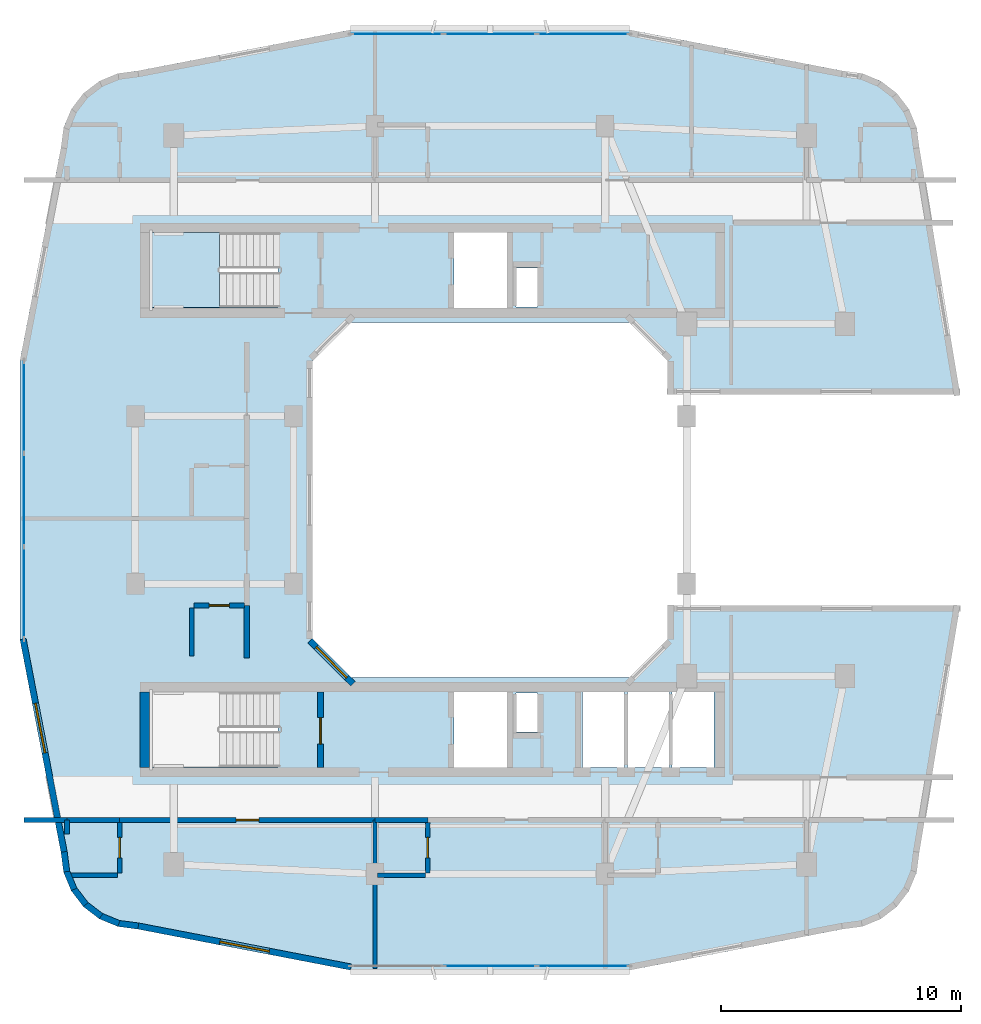
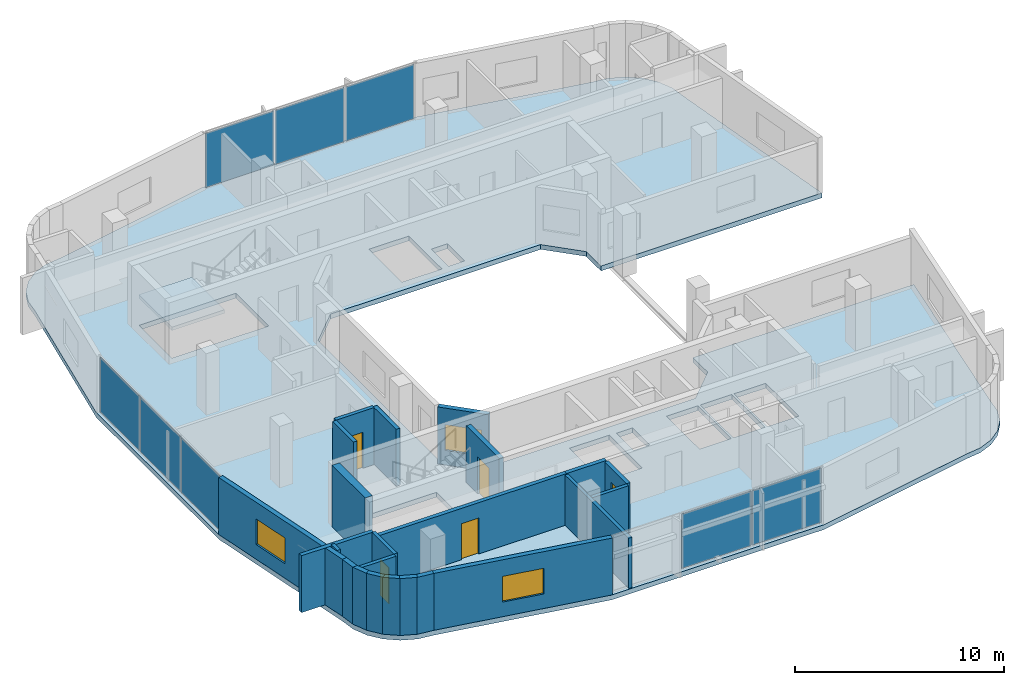
# One storey, part 4 of 12: 24 walls, 8 plates, 5 doors, 3 windows, 2 slabs, 8 openings, 4 elements without a shape of their own.
"""IFC4 building model written with IfcOpenShell, lengths in metres."""

from ifc_helpers import new_model, si_unit, derived_unit, direction, frame, frame_2d, origin, origin_2d, place, context, subcontext, project, spatial, polyline, rectangle, outline, extrude, material, layer, layer_set, type_object, element, fill, aggregate, save


model = new_model("IFC4")

# Units and contexts
model_context = context("Model", 3, precision=1e-05, world=origin(), true_north=direction((0.0, 1.0)))
body_context = subcontext(model_context, "Body", "Model", "MODEL_VIEW")
ifc_project = project(units=[si_unit("LENGTHUNIT", "METRE"), si_unit("AREAUNIT", "SQUARE_METRE"), si_unit("VOLUMEUNIT", "CUBIC_METRE"), si_unit("PLANEANGLEUNIT", "RADIAN"), si_unit("MASSUNIT", "GRAM", prefix="KILO"), derived_unit("THERMALTRANSMITTANCEUNIT", [(si_unit("POWERUNIT", "WATT"), 1), (si_unit("LENGTHUNIT", "METRE"), -2), (si_unit("THERMODYNAMICTEMPERATUREUNIT", "KELVIN"), -1)])], contexts=[model_context])

# Site, building, storey
site_placement = place(None, origin())
site = spatial("IfcSite", under=ifc_project, at=site_placement, CompositionType="ELEMENT")
building_placement = place(site_placement, origin())
building = spatial("IfcBuilding", under=site, at=building_placement, Name="Kivonza Crest Hotel", CompositionType="ELEMENT")
storey_placement = place(building_placement, frame((0.0, 0.0, 188.300048828125)))
storey = spatial("IfcBuildingStorey", under=building, at=storey_placement, Name="L51", CompositionType="ELEMENT", Elevation=188.300048828125)

# Curtain wall, plates
ifc_material_1 = material(Name="Anodised bronze aluminium and low-E double glazing", Category="aluminium")
ifc_layer_1 = layer(ifc_material_1, 0.179931640625)
ifc_layer_set_1 = layer_set([ifc_layer_1], Name="Anodised bronze aluminium and low-E double glazing")
curtain_wall_type = type_object("IfcCurtainWallType", Name="CW-SYS-3", PredefinedType="NOTDEFINED", material=ifc_layer_set_1)
curtain_wall_1_placement = place(storey_placement, origin())
curtain_wall_1 = element("IfcCurtainWall", 1, at=curtain_wall_1_placement, inside=storey, type_object=curtain_wall_type, Name="L51 unitised curtain wall CW-T1-L51-08", PredefinedType="NOTDEFINED")
ifc_material_2 = material(Name="Acoustic triple-laminated low-E glazing", Category="glass")
ifc_layer_2 = layer(ifc_material_2, 0.035888671875)
ifc_layer_set_2 = layer_set([ifc_layer_2], Name="Acoustic triple-laminated low-E glazing")
plate_type = type_object("IfcPlateType", Name="CW-PNL-36", PredefinedType="CURTAIN_PANEL", material=ifc_layer_set_2)
plate_1_placement = place(storey_placement, frame((21.0, 5.56005859375, 0.074951171875), z_axis=(0.0, 0.0, 1.0), x_axis=(1.0, 0.0, 0.0)))
plate_1 = element("IfcPlate", 2, at=plate_1_placement, type_object=plate_type, Name="CW-3 panel 2.1", PredefinedType="CURTAIN_PANEL", context=body_context, shape_type="SweptSolid", body=[
    extrude(rectangle(XDim=3.818359375, YDim=0.035888671875, at=origin_2d()), origin(), (0.0, 0.0, 1.0), 3.169921875),
])
plate_2_placement = place(storey_placement, frame((24.87451171875, 5.56005859375, 0.074951171875), z_axis=(0.0, 0.0, 1.0), x_axis=(1.0, 0.0, 0.0)))
plate_2 = element("IfcPlate", 3, at=plate_2_placement, type_object=plate_type, Name="CW-3 panel 3.1", PredefinedType="CURTAIN_PANEL", context=body_context, shape_type="SweptSolid", body=[
    extrude(rectangle(XDim=3.78076171875, YDim=0.035888671875, at=origin_2d()), origin(), (0.0, 0.0, 1.0), 3.169921875),
])
aggregate(curtain_wall_1, [plate_1, plate_2])

curtain_wall_2_placement = place(storey_placement, origin())
curtain_wall_2 = element("IfcCurtainWall", 4, at=curtain_wall_2_placement, inside=storey, type_object=curtain_wall_type, Name="L51 unitised curtain wall CW-T1-L51-36", PredefinedType="NOTDEFINED")
plate_3_placement = place(storey_placement, frame((24.87451171875, 44.43994140625, 0.074951171875), z_axis=(0.0, 0.0, 1.0), x_axis=(-1.0, 0.0, 0.0)))
plate_3 = element("IfcPlate", 5, at=plate_3_placement, type_object=plate_type, Name="CW-3 panel 1.1", PredefinedType="CURTAIN_PANEL", context=body_context, shape_type="SweptSolid", body=[
    extrude(rectangle(XDim=3.78076171875, YDim=0.035888671875, at=origin_2d()), origin(), (0.0, 0.0, 1.0), 3.169921875),
])
plate_4_placement = place(storey_placement, frame((21.0, 44.43994140625, 0.074951171875), z_axis=(0.0, 0.0, 1.0), x_axis=(-1.0, 0.0, 0.0)))
plate_4 = element("IfcPlate", 6, at=plate_4_placement, type_object=plate_type, Name="CW-3 panel 2.1", PredefinedType="CURTAIN_PANEL", context=body_context, shape_type="SweptSolid", body=[
    extrude(rectangle(XDim=3.818359375, YDim=0.035888671875, at=origin_2d()), origin(), (0.0, 0.0, 1.0), 3.169921875),
])
plate_5_placement = place(storey_placement, frame((17.12548828125, 44.43994140625, 0.074951171875), z_axis=(0.0, 0.0, 1.0), x_axis=(-1.0, 0.0, 0.0)))
plate_5 = element("IfcPlate", 7, at=plate_5_placement, type_object=plate_type, Name="CW-3 panel 3.1", PredefinedType="CURTAIN_PANEL", context=body_context, shape_type="SweptSolid", body=[
    extrude(rectangle(XDim=3.78076171875, YDim=0.035888671875, at=origin_2d()), origin(), (0.0, 0.0, 1.0), 3.169921875),
])
aggregate(curtain_wall_2, [plate_3, plate_4, plate_5])

curtain_wall_3_placement = place(storey_placement, origin())
curtain_wall_3 = element("IfcCurtainWall", 8, at=curtain_wall_3_placement, inside=storey, type_object=curtain_wall_type, Name="L51 unitised curtain wall CW-T1-L51-45", PredefinedType="NOTDEFINED")
plate_6_placement = place(storey_placement, frame((1.56005859375, 28.87451171875, 0.074951171875), z_axis=(0.0, 0.0, 1.0), x_axis=(0.0, -1.0, 0.0)))
plate_6 = element("IfcPlate", 9, at=plate_6_placement, type_object=plate_type, Name="CW-3 panel 1.1", PredefinedType="CURTAIN_PANEL", context=body_context, shape_type="SweptSolid", body=[
    extrude(rectangle(XDim=3.78076171875, YDim=0.035888671875, at=origin_2d()), origin(), (0.0, 0.0, 1.0), 3.169921875),
])
plate_7_placement = place(storey_placement, frame((1.56005859375, 25.0, 0.074951171875), z_axis=(0.0, 0.0, 1.0), x_axis=(0.0, -1.0, 0.0)))
plate_7 = element("IfcPlate", 10, at=plate_7_placement, type_object=plate_type, Name="CW-3 panel 2.1", PredefinedType="CURTAIN_PANEL", context=body_context, shape_type="SweptSolid", body=[
    extrude(rectangle(XDim=3.818359375, YDim=0.035888671875, at=origin_2d()), origin(), (0.0, 0.0, 1.0), 3.169921875),
])
plate_8_placement = place(storey_placement, frame((1.56005859375, 21.12548828125, 0.074951171875), z_axis=(0.0, 0.0, 1.0), x_axis=(0.0, -1.0, 0.0)))
plate_8 = element("IfcPlate", 11, at=plate_8_placement, type_object=plate_type, Name="CW-3 panel 3.1", PredefinedType="CURTAIN_PANEL", context=body_context, shape_type="SweptSolid", body=[
    extrude(rectangle(XDim=3.78076171875, YDim=0.035888671875, at=origin_2d()), origin(), (0.0, 0.0, 1.0), 3.169921875),
])
aggregate(curtain_wall_3, [plate_6, plate_7, plate_8])

# Slab
ifc_material_3 = material(Name="Concrete C40/50", Category="concrete")
ifc_layer_3 = layer(ifc_material_3, 0.280029296875)
ifc_layer_set_3 = layer_set([ifc_layer_3], Name="Concrete C40/50")
slab_type_1 = type_object("IfcSlabType", Name="SL-HTL-280", PredefinedType="FLOOR", material=ifc_layer_set_3)
slab_1_placement = place(storey_placement, frame((0.0, 0.0, -0.280029296875)))
element("IfcSlab", 12, at=slab_1_placement, inside=storey, type_object=slab_type_1, Name="Tower T1 L51 floor slab", PredefinedType="FLOOR", context=body_context, shape_type="SweptSolid", body=[
    extrude(outline(polyline([(3.10009765625, 10.300048828125), (3.208984375, 9.471923828125), (3.529052734375, 8.699951171875), (4.037109375, 8.037109375), (4.699951171875, 7.529052734375), (5.471923828125, 7.208984375), (6.300048828125, 7.10009765625), (15.1201171875, 5.39990234375), (26.8798828125, 5.39990234375), (35.699951171875, 7.10009765625), (36.528076171875, 7.208984375), (37.300048828125, 7.529052734375), (37.962890625, 8.037109375), (38.470947265625, 8.699951171875), (38.791015625, 9.471923828125), (38.89990234375, 10.300048828125), (40.60009765625, 20.60009765625), (28.39990234375, 20.60009765625), (28.39990234375, 19.199951171875), (26.800048828125, 17.60009765625), (15.199951171875, 17.60009765625), (13.60009765625, 19.199951171875), (13.60009765625, 30.800048828125), (15.199951171875, 32.39990234375), (26.800048828125, 32.39990234375), (28.39990234375, 30.800048828125), (28.39990234375, 29.39990234375), (40.60009765625, 29.39990234375), (38.89990234375, 39.699951171875), (38.791015625, 40.528076171875), (38.470947265625, 41.300048828125), (37.962890625, 41.962890625), (37.300048828125, 42.470947265625), (36.528076171875, 42.791015625), (35.699951171875, 42.89990234375), (26.8798828125, 44.60009765625), (15.1201171875, 44.60009765625), (6.300048828125, 42.89990234375), (5.471923828125, 42.791015625), (4.699951171875, 42.470947265625), (4.037109375, 41.962890625), (3.529052734375, 41.300048828125), (3.208984375, 40.528076171875), (3.10009765625, 39.699951171875), (1.39990234375, 30.8798828125), (1.39990234375, 19.1201171875), (3.10009765625, 10.300048828125)]), holes=[polyline([(6.800048828125, 33.02001953125), (12.159912109375, 33.02001953125), (12.159912109375, 36.159912109375), (6.800048828125, 36.159912109375), (6.800048828125, 33.02001953125)]), polyline([(6.800048828125, 13.860107421875), (12.159912109375, 13.860107421875), (12.159912109375, 17.0), (6.800048828125, 17.0), (6.800048828125, 13.860107421875)]), polyline([(22.080078125, 33.0400390625), (22.969970703125, 33.0400390625), (22.969970703125, 34.679931640625), (22.080078125, 34.679931640625), (22.080078125, 33.0400390625)]), polyline([(22.080078125, 15.320068359375), (22.969970703125, 15.320068359375), (22.969970703125, 16.9599609375), (22.080078125, 16.9599609375), (22.080078125, 15.320068359375)]), polyline([(19.5, 33.0), (21.699951171875, 33.0), (21.699951171875, 36.159912109375), (19.5, 36.159912109375), (19.5, 33.0)]), polyline([(19.5, 13.840087890625), (21.699951171875, 13.840087890625), (21.699951171875, 17.0), (19.5, 17.0), (19.5, 13.840087890625)]), polyline([(24.860107421875, 13.840087890625), (26.60693359375, 13.840087890625), (26.60693359375, 17.0), (24.860107421875, 17.0), (24.860107421875, 13.840087890625)]), polyline([(26.72705078125, 13.840087890625), (28.472900390625, 13.840087890625), (28.472900390625, 17.0), (26.72705078125, 17.0), (26.72705078125, 13.840087890625)]), polyline([(28.593017578125, 13.840087890625), (30.340087890625, 13.840087890625), (30.340087890625, 17.0), (28.593017578125, 17.0), (28.593017578125, 13.840087890625)])]), origin(), (0.0, 0.0, 1.0), 0.280029296875),
])

# Stair, slab
stair_type = type_object("IfcStairType", Name="ST-DL-20R", PredefinedType="HALF_TURN_STAIR", material=ifc_material_3)
stair_placement = place(storey_placement, origin())
stair = element("IfcStair", 13, at=stair_placement, inside=storey, type_object=stair_type, Name="L51 Protected Exit Stair ST-T1-N", PredefinedType="HALF_TURN_STAIR")
ifc_layer_4 = layer(ifc_material_3, 0.199951171875)
ifc_layer_set_4 = layer_set([ifc_layer_4], Name="Concrete C40/50")
slab_type_2 = type_object("IfcSlabType", Name="SL-LAND-200", PredefinedType="LANDING", material=ifc_layer_set_4)
slab_2_placement = place(storey_placement, frame((0.0, 0.0, 1.599853515625)))
slab_2 = element("IfcSlab", 14, at=slab_2_placement, type_object=slab_type_2, Name="ST-T1-N landing 1", PredefinedType="LANDING", context=body_context, shape_type="SweptSolid", body=[
    extrude(outline(polyline([(9.719970703125, 36.159912109375), (6.800048828125, 36.159912109375), (6.800048828125, 33.02001953125), (9.719970703125, 33.02001953125), (9.719970703125, 36.159912109375)])), origin(), (0.0, 0.0, 1.0), 0.2001953125),
])
aggregate(stair, [slab_2])

# Walls
ifc_material_4 = material(Name="High-density acoustic masonry inter-tenancy wall", Category="masonry")
ifc_layer_5 = layer(ifc_material_4, 0.179931640625)
ifc_layer_set_5 = layer_set([ifc_layer_5], Name="High-density acoustic masonry inter-tenancy wall")
wall_type_1 = type_object("IfcWallType", Name="WL-ACOU-180", PredefinedType="SOLIDWALL", material=ifc_layer_set_5)
wall_1_placement = place(storey_placement, frame((16.199951171875, 5.4599609375, 0.0), z_axis=(0.0, 0.0, 1.0), x_axis=(0.0, 1.0, 0.0)))
element("IfcWall", 15, at=wall_1_placement, inside=storey, type_object=wall_type_1, Name="L51 interior partition WA-L51-T1S-DIV1", PredefinedType="SOLIDWALL", context=body_context, shape_type="SweptSolid", body=[
    extrude(rectangle(XDim=6.18994140625, YDim=0.179931640625, at=frame_2d((3.094970703125, 0.0))), origin(), (0.0, 0.0, 1.0), 2.93505859375),
])
ifc_material_5 = material(Name="Autoclaved aerated concrete blockwork", Category="masonry")
ifc_layer_6 = layer(ifc_material_5, 0.219970703125)
ifc_layer_set_6 = layer_set([ifc_layer_6], Name="Autoclaved aerated concrete blockwork")
wall_type_2 = type_object("IfcWallType", Name="WL-ACOU-220", PredefinedType="SOLIDWALL", material=ifc_layer_set_6)
wall_2_placement = place(storey_placement, frame((1.56005859375, 11.64990234375, 0.0), z_axis=(0.0, 0.0, 1.0), x_axis=(1.0, 0.0, 0.0)))
element("IfcWall", 16, at=wall_2_placement, inside=storey, type_object=wall_type_2, Name="L51 interior partition WA-L51-S04-XCORR", PredefinedType="SOLIDWALL", context=body_context, shape_type="SweptSolid", body=[
    extrude(rectangle(XDim=1.7900390625, YDim=0.219970703125, at=frame_2d((0.89501953125, 0.0))), origin(), (0.0, 0.0, 1.0), 3.320068359375),
])
wall_3_placement = place(storey_placement, frame((3.35009765625, 11.64990234375, 0.0), z_axis=(0.0, 0.0, 1.0), x_axis=(1.0, 0.0, 0.0)))
element("IfcWall", 17, at=wall_3_placement, inside=storey, type_object=wall_type_2, Name="L51 interior partition WA-L51-S04-BCORR", PredefinedType="SOLIDWALL", context=body_context, shape_type="SweptSolid", body=[
    extrude(rectangle(XDim=2.199951171875, YDim=0.219970703125, at=frame_2d((1.10009765625, 0.0))), origin(), (0.0, 0.0, 1.0), 3.320068359375),
])

# Wall, opening, door
wall_4_placement = place(storey_placement, frame((5.550048828125, 11.64990234375, 0.0), z_axis=(0.0, 0.0, 1.0), x_axis=(1.0, 0.0, 0.0)))
wall_4 = element("IfcWall", 18, at=wall_4_placement, inside=storey, type_object=wall_type_2, Name="L51 interior partition WA-L51-S04-MCORR", PredefinedType="SOLIDWALL", context=body_context, shape_type="SweptSolid", body=[
    extrude(rectangle(XDim=10.64990234375, YDim=0.219970703125, at=frame_2d((5.324951171875, 0.0))), origin(), (0.0, 0.0, 1.0), 2.994873046875),
])
opening_1_placement = place(wall_4_placement, frame((4.85009765625, 0.0, 0.0)))
opening_1 = element("IfcOpeningElement", 19, at=opening_1_placement, cuts=wall_4, Name="Opening DU-60", PredefinedType="OPENING", context=body_context, shape_type="SweptSolid", body=[
    extrude(rectangle(XDim=0.949951171875, YDim=2.10009765625, at=frame_2d((0.47509765625, 1.050048828125))), frame((0.0, 0.1201171875, 0.0), z_axis=(0.0, -1.0, 0.0), x_axis=(1.0, 0.0, 0.0)), (0.0, 0.0, 1.0), 0.239990234375),
])
ifc_material_6 = material(Name="Hardwood timber oak", Category="wood")
door_type_1 = type_object("IfcDoorType", Name="DR-UNIT-950", OperationType="NOTDEFINED", PredefinedType="DOOR", material=ifc_material_6)
door_1_placement = place(opening_1_placement, frame((0.949951171875, 0.0, 0.0), z_axis=(0.0, 0.0, 1.0), x_axis=(-1.0, 0.0, 0.0)))
door_1 = element("IfcDoor", 20, at=door_1_placement, inside=storey, type_object=door_type_1, Name="L51 S04 guest unit entrance fire door", OperationType="SINGLE_SWING_RIGHT", OverallHeight=2.10009765625, OverallWidth=0.949951171875, PredefinedType="DOOR", context=body_context, shape_type="SweptSolid", body=[
    extrude(rectangle(XDim=0.949951171875, YDim=2.10009765625, at=frame_2d((0.47509765625, 1.050048828125))), frame((0.0, 0.02490234375, 0.0), z_axis=(0.0, -1.0, 0.0), x_axis=(1.0, 0.0, 0.0)), (0.0, 0.0, 1.0), 0.050048828125),
])
fill(opening_1, door_1)

# Walls
wall_5_placement = place(storey_placement, frame((16.199951171875, 11.64990234375, 0.0), z_axis=(0.0, 0.0, 1.0), x_axis=(1.0, 0.0, 0.0)))
element("IfcWall", 21, at=wall_5_placement, inside=storey, type_object=wall_type_2, Name="L51 interior partition WA-L51-S05-BCORR", PredefinedType="SOLIDWALL", context=body_context, shape_type="SweptSolid", body=[
    extrude(rectangle(XDim=2.199951171875, YDim=0.219970703125, at=frame_2d((1.10009765625, 0.0))), origin(), (0.0, 0.0, 1.0), 2.994873046875),
])
wall_6_placement = place(storey_placement, frame((10.85009765625, 18.39990234375, 0.0), z_axis=(0.0, 0.0, 1.0), x_axis=(0.0, 1.0, 0.0)))
element("IfcWall", 22, at=wall_6_placement, inside=storey, type_object=wall_type_2, Name="L51 interior partition WA-L51-W07-BCORR", PredefinedType="SOLIDWALL", context=body_context, shape_type="SweptSolid", body=[
    extrude(rectangle(XDim=2.2001953125, YDim=0.219970703125, at=frame_2d((1.10009765625, 0.0))), origin(), (0.0, 0.0, 1.0), 3.320068359375),
])
ifc_material_7 = material(Name="Concrete C50/60", Category="concrete")
ifc_layer_7 = layer(ifc_material_7, 0.39990234375)
ifc_layer_set_7 = layer_set([ifc_layer_7], Name="Concrete C50/60")
wall_type_3 = type_object("IfcWallType", Name="WL-CORE-400", PredefinedType="SHEAR", material=ifc_layer_set_7)
wall_7_placement = place(storey_placement, frame((6.60009765625, 13.840087890625, 0.0), z_axis=(0.0, 0.0, 1.0), x_axis=(0.0, 1.0, 0.0)))
element("IfcWall", 23, at=wall_7_placement, inside=storey, type_object=wall_type_3, Name="Core wall T1-S West L51", PredefinedType="SHEAR", context=body_context, shape_type="SweptSolid", body=[
    extrude(rectangle(XDim=3.159912109375, YDim=0.39990234375, at=frame_2d((1.580078125, 0.0))), origin(), (0.0, 0.0, 1.0), 3.599853515625),
])
ifc_material_8 = material(Name="Precast concrete C40/50", Category="concrete")
ifc_layer_8 = layer(ifc_material_8, 0.260009765625)
ifc_layer_set_8 = layer_set([ifc_layer_8], Name="Precast concrete C40/50")
wall_type_4 = type_object("IfcWallType", Name="WL-EXT-260", PredefinedType="STANDARD", material=ifc_layer_set_8)
wall_8_placement = place(storey_placement, frame((3.22802734375, 10.324951171875, 0.0), z_axis=(0.0, 0.0, 1.0), x_axis=(0.130704676564, -0.99142134712, 0.0)))
element("IfcWall", 24, at=wall_8_placement, inside=storey, type_object=wall_type_4, Name="L51 T1 exterior insulated wall 1", PredefinedType="STANDARD", context=body_context, shape_type="SweptSolid", body=[
    extrude(rectangle(XDim=0.8330078125, YDim=0.260009765625, at=frame_2d((0.41650390625, 0.0))), origin(), (0.0, 0.0, 1.0), 3.320068359375),
])
wall_9_placement = place(storey_placement, frame((3.319091796875, 9.544921875, 0.0), z_axis=(0.0, 0.0, 1.0), x_axis=(0.383086687796, -0.923712395518, 0.0)))
element("IfcWall", 25, at=wall_9_placement, inside=storey, type_object=wall_type_4, Name="L51 T1 exterior insulated wall 2", PredefinedType="STANDARD", context=body_context, shape_type="SweptSolid", body=[
    extrude(rectangle(XDim=0.850830078125, YDim=0.260009765625, at=frame_2d((0.42529296875, 0.0))), origin(), (0.0, 0.0, 1.0), 3.320068359375),
])
for number, where, z_axis, x_axis, name in (
    (26, (3.616943359375, 8.799072265625, 0.0), (0.0, 0.0, 1.0), (0.608099977432, -0.793860452124, 0.0), "L51 T1 exterior insulated wall 3"),
    (27, (4.095947265625, 8.155029296875, 0.0), (0.0, 0.0, 1.0), (0.793860452124, -0.608099977432, 0.0), "L51 T1 exterior insulated wall 4"),
):
    element("IfcWall", number, at=place(storey_placement, frame(where, z_axis=z_axis, x_axis=x_axis)), inside=storey, type_object=wall_type_4, Name=name, PredefinedType="STANDARD", context=body_context, shape_type="SweptSolid", body=[
        extrude(rectangle(XDim=0.850341796875, YDim=0.260009765625, at=frame_2d((0.42529296875, 0.0))), origin(), (0.0, 0.0, 1.0), 3.320068359375),
    ])
wall_10_placement = place(storey_placement, frame((4.72705078125, 7.658935546875, 0.0), z_axis=(0.0, 0.0, 1.0), x_axis=(0.923712395518, -0.383086687796, 0.0)))
element("IfcWall", 28, at=wall_10_placement, inside=storey, type_object=wall_type_4, Name="L51 T1 exterior insulated wall 5", PredefinedType="STANDARD", context=body_context, shape_type="SweptSolid", body=[
    extrude(rectangle(XDim=0.850830078125, YDim=0.260009765625, at=frame_2d((0.42529296875, 0.0))), origin(), (0.0, 0.0, 1.0), 3.320068359375),
])
wall_11_placement = place(storey_placement, frame((5.464111328125, 7.341064453125, 0.0), z_axis=(0.0, 0.0, 1.0), x_axis=(0.991488716273, -0.130192647656, 0.0)))
element("IfcWall", 29, at=wall_11_placement, inside=storey, type_object=wall_type_4, Name="L51 T1 exterior insulated wall 6", PredefinedType="STANDARD", context=body_context, shape_type="SweptSolid", body=[
    extrude(rectangle(XDim=0.8681640625, YDim=0.260009765625, at=frame_2d((0.43408203125, 0.0))), origin(), (0.0, 0.0, 1.0), 3.320068359375),
])

# Wall, opening, window
wall_12_placement = place(storey_placement, frame((6.31689453125, 7.22998046875, 0.0), z_axis=(0.0, 0.0, 1.0), x_axis=(0.98192801022, -0.189254809039, 0.0)))
wall_12 = element("IfcWall", 30, at=wall_12_placement, inside=storey, type_object=wall_type_4, Name="L51 T1 exterior insulated wall 7", PredefinedType="STANDARD", context=body_context, shape_type="SweptSolid", body=[
    extrude(rectangle(XDim=9.045654296875, YDim=0.260009765625, at=frame_2d((4.52294921875, 0.0))), origin(), (0.0, 0.0, 1.0), 3.320068359375),
])
opening_2_placement = place(wall_12_placement, frame((3.472900390625, 0.0, 0.85009765625)))
opening_2 = element("IfcOpeningElement", 31, at=opening_2_placement, cuts=wall_12, Name="Opening WN-04", PredefinedType="OPENING", context=body_context, shape_type="SweptSolid", body=[
    extrude(rectangle(XDim=2.10009765625, YDim=1.5, at=frame_2d((1.050048828125, 0.75))), frame((0.0, 0.14013671875, 0.0), z_axis=(0.0, -1.0, 0.0), x_axis=(1.0, 0.0, 0.0)), (0.0, 0.0, 1.0), 0.280029296875),
])
ifc_material_9 = material(Name="Thermally broken bronze aluminium and low-E double glazing", Category="aluminium")
window_type_1 = type_object("IfcWindowType", Name="WN-210x150", PartitioningType="DOUBLE_PANEL_VERTICAL", PredefinedType="WINDOW", material=ifc_material_9)
window_1_placement = place(opening_2_placement, origin())
window_1 = element("IfcWindow", 32, at=window_1_placement, inside=storey, type_object=window_type_1, Name="L51 T1 facade window 7", OverallHeight=1.5, OverallWidth=2.10009765625, PartitioningType="SINGLE_PANEL", PredefinedType="WINDOW", context=body_context, shape_type="SweptSolid", body=[
    extrude(rectangle(XDim=2.10009765625, YDim=1.5, at=frame_2d((1.050048828125, 0.75))), frame((0.0, 0.030029296875, 0.0), z_axis=(0.0, -1.0, 0.0), x_axis=(1.0, 0.0, 0.0)), (0.0, 0.0, 1.0), 0.06005859375),
])
fill(opening_2, window_1)

wall_13_placement = place(storey_placement, frame((15.278076171875, 17.337890625, 0.0), z_axis=(0.0, 0.0, 1.0), x_axis=(-0.707106781187, 0.707106781187, 0.0)))
wall_13 = element("IfcWall", 33, at=wall_13_placement, inside=storey, type_object=wall_type_4, Name="L51 T1 exterior insulated wall 21", PredefinedType="STANDARD", context=body_context, shape_type="SweptSolid", body=[
    extrude(rectangle(XDim=2.52880859375, YDim=0.260009765625, at=frame_2d((1.264404296875, 0.0))), origin(), (0.0, 0.0, 1.0), 3.320068359375),
])
opening_3_placement = place(wall_13_placement, frame((0.364013671875, 0.0, 0.85009765625)))
opening_3 = element("IfcOpeningElement", 34, at=opening_3_placement, cuts=wall_13, Name="Opening WN-03", PredefinedType="OPENING", context=body_context, shape_type="SweptSolid", body=[
    extrude(rectangle(XDim=1.800048828125, YDim=1.5, at=frame_2d((0.89990234375, 0.75))), frame((0.0, 0.14013671875, 0.0), z_axis=(0.0, -1.0, 0.0), x_axis=(1.0, 0.0, 0.0)), (0.0, 0.0, 1.0), 0.280029296875),
])
window_type_2 = type_object("IfcWindowType", Name="WN-180x150", PartitioningType="DOUBLE_PANEL_VERTICAL", PredefinedType="WINDOW", material=ifc_material_9)
window_2_placement = place(opening_3_placement, origin())
window_2 = element("IfcWindow", 35, at=window_2_placement, inside=storey, type_object=window_type_2, Name="L51 T1 facade window 21", OverallHeight=1.5, OverallWidth=1.800048828125, PartitioningType="SINGLE_PANEL", PredefinedType="WINDOW", context=body_context, shape_type="SweptSolid", body=[
    extrude(rectangle(XDim=1.800048828125, YDim=1.5, at=frame_2d((0.89990234375, 0.75))), frame((0.0, 0.030029296875, 0.0), z_axis=(0.0, -1.0, 0.0), x_axis=(1.0, 0.0, 0.0)), (0.0, 0.0, 1.0), 0.06005859375),
])
fill(opening_3, window_2)

wall_14_placement = place(storey_placement, frame((1.51806640625, 19.198974609375, 0.0), z_axis=(0.0, 0.0, 1.0), x_axis=(0.189254809039, -0.98192801022, 0.0)))
wall_14 = element("IfcWall", 36, at=wall_14_placement, inside=storey, type_object=wall_type_4, Name="L51 T1 exterior insulated wall 46", PredefinedType="STANDARD", context=body_context, shape_type="SweptSolid", body=[
    extrude(rectangle(XDim=9.045654296875, YDim=0.260009765625, at=frame_2d((4.52294921875, 0.0))), origin(), (0.0, 0.0, 1.0), 3.320068359375),
])
opening_4_placement = place(wall_14_placement, frame((2.73291015625, 0.0, 0.85009765625)))
opening_4 = element("IfcOpeningElement", 37, at=opening_4_placement, cuts=wall_14, Name="Opening WN-04", PredefinedType="OPENING", context=body_context, shape_type="SweptSolid", body=[
    extrude(rectangle(XDim=2.10009765625, YDim=1.5, at=frame_2d((1.050048828125, 0.75))), frame((0.0, 0.14013671875, 0.0), z_axis=(0.0, -1.0, 0.0), x_axis=(1.0, 0.0, 0.0)), (0.0, 0.0, 1.0), 0.280029296875),
])
window_3_placement = place(opening_4_placement, origin())
window_3 = element("IfcWindow", 38, at=window_3_placement, inside=storey, type_object=window_type_1, Name="L51 T1 facade window 46", OverallHeight=1.5, OverallWidth=2.10009765625, PartitioningType="SINGLE_PANEL", PredefinedType="WINDOW", context=body_context, shape_type="SweptSolid", body=[
    extrude(rectangle(XDim=2.10009765625, YDim=1.5, at=frame_2d((1.050048828125, 0.75))), frame((0.0, 0.030029296875, 0.0), z_axis=(0.0, -1.0, 0.0), x_axis=(1.0, 0.0, 0.0)), (0.0, 0.0, 1.0), 0.06005859375),
])
fill(opening_4, window_3)

# Wall, opening, door
ifc_material_10 = material(Name="Moisture-resistant plumbing chase partition wall", Category="gypsum")
ifc_layer_9 = layer(ifc_material_10, 0.199951171875)
ifc_layer_set_9 = layer_set([ifc_layer_9], Name="Moisture-resistant plumbing chase partition wall")
wall_type_5 = type_object("IfcWallType", Name="WL-PLUMB-200", PredefinedType="PLUMBINGWALL", material=ifc_layer_set_9)
wall_15_placement = place(storey_placement, frame((5.550048828125, 9.449951171875, 0.0), z_axis=(0.0, 0.0, 1.0), x_axis=(0.0, 1.0, 0.0)))
wall_15 = element("IfcWall", 39, at=wall_15_placement, inside=storey, type_object=wall_type_5, Name="L51 interior partition WW-L51-S04-BV", PredefinedType="PLUMBINGWALL", context=body_context, shape_type="SweptSolid", body=[
    extrude(rectangle(XDim=2.10009765625, YDim=0.199951171875, at=frame_2d((1.050048828125, 0.0))), origin(), (0.0, 0.0, 1.0), 3.320068359375),
])
opening_5_placement = place(wall_15_placement, frame((0.625, 0.0, 0.0)))
opening_5 = element("IfcOpeningElement", 40, at=opening_5_placement, cuts=wall_15, Name="Opening DI-85", PredefinedType="OPENING", context=body_context, shape_type="SweptSolid", body=[
    extrude(rectangle(XDim=0.85009765625, YDim=2.10009765625, at=frame_2d((0.425048828125, 1.050048828125))), frame((0.0, 0.10986328125, 0.0), z_axis=(0.0, -1.0, 0.0), x_axis=(1.0, 0.0, 0.0)), (0.0, 0.0, 1.0), 0.219970703125),
])
door_type_2 = type_object("IfcDoorType", Name="DR-INT-850", OperationType="NOTDEFINED", PredefinedType="DOOR", material=ifc_material_6)
door_2_placement = place(opening_5_placement, frame((0.85009765625, 0.0, 0.0), z_axis=(0.0, 0.0, 1.0), x_axis=(-1.0, 0.0, 0.0)))
door_2 = element("IfcDoor", 41, at=door_2_placement, inside=storey, type_object=door_type_2, Name="L51 S04 en-suite bathroom door", OperationType="SINGLE_SWING_LEFT", OverallHeight=2.10009765625, OverallWidth=0.85009765625, PredefinedType="DOOR", context=body_context, shape_type="SweptSolid", body=[
    extrude(rectangle(XDim=0.85009765625, YDim=2.10009765625, at=frame_2d((0.425048828125, 1.050048828125))), frame((0.0, 0.02490234375, 0.0), z_axis=(0.0, -1.0, 0.0), x_axis=(1.0, 0.0, 0.0)), (0.0, 0.0, 1.0), 0.050048828125),
])
fill(opening_5, door_2)

# Walls
wall_16_placement = place(storey_placement, frame((3.449951171875, 9.35009765625, 0.0), z_axis=(0.0, 0.0, 1.0), x_axis=(1.0, 0.0, 0.0)))
element("IfcWall", 42, at=wall_16_placement, inside=storey, type_object=wall_type_5, Name="L51 interior partition WW-L51-S04-BH", PredefinedType="PLUMBINGWALL", context=body_context, shape_type="SweptSolid", body=[
    extrude(rectangle(XDim=2.0, YDim=0.199951171875, at=frame_2d((1.0, 0.0))), origin(), (0.0, 0.0, 1.0), 3.320068359375),
])
wall_17_placement = place(storey_placement, frame((3.35009765625, 11.072998046875, 0.0), z_axis=(0.0, 0.0, 1.0), x_axis=(0.0, 1.0, 0.0)))
element("IfcWall", 43, at=wall_17_placement, inside=storey, type_object=wall_type_5, Name="L51 interior partition WW-L51-S04-BVW", PredefinedType="PLUMBINGWALL", context=body_context, shape_type="SweptSolid", body=[
    extrude(rectangle(XDim=0.576904296875, YDim=0.199951171875, at=frame_2d((0.28857421875, 0.0))), origin(), (0.0, 0.0, 1.0), 3.320068359375),
])

# Wall, opening, door
wall_18_placement = place(storey_placement, frame((18.39990234375, 9.449951171875, 0.0), z_axis=(0.0, 0.0, 1.0), x_axis=(0.0, 1.0, 0.0)))
wall_18 = element("IfcWall", 44, at=wall_18_placement, inside=storey, type_object=wall_type_5, Name="L51 interior partition WW-L51-S05-BV", PredefinedType="PLUMBINGWALL", context=body_context, shape_type="SweptSolid", body=[
    extrude(rectangle(XDim=2.10009765625, YDim=0.199951171875, at=frame_2d((1.050048828125, 0.0))), origin(), (0.0, 0.0, 1.0), 2.93505859375),
])
opening_6_placement = place(wall_18_placement, frame((0.625, 0.0, 0.0)))
opening_6 = element("IfcOpeningElement", 45, at=opening_6_placement, cuts=wall_18, Name="Opening DI-85", PredefinedType="OPENING", context=body_context, shape_type="SweptSolid", body=[
    extrude(rectangle(XDim=0.85009765625, YDim=2.10009765625, at=frame_2d((0.425048828125, 1.050048828125))), frame((0.0, 0.10986328125, 0.0), z_axis=(0.0, -1.0, 0.0), x_axis=(1.0, 0.0, 0.0)), (0.0, 0.0, 1.0), 0.219970703125),
])
door_3_placement = place(opening_6_placement, frame((0.85009765625, 0.0, 0.0), z_axis=(0.0, 0.0, 1.0), x_axis=(-1.0, 0.0, 0.0)))
door_3 = element("IfcDoor", 46, at=door_3_placement, inside=storey, type_object=door_type_2, Name="L51 S05 en-suite bathroom door", OperationType="SINGLE_SWING_RIGHT", OverallHeight=2.10009765625, OverallWidth=0.85009765625, PredefinedType="DOOR", context=body_context, shape_type="SweptSolid", body=[
    extrude(rectangle(XDim=0.85009765625, YDim=2.10009765625, at=frame_2d((0.425048828125, 1.050048828125))), frame((0.0, 0.02490234375, 0.0), z_axis=(0.0, -1.0, 0.0), x_axis=(1.0, 0.0, 0.0)), (0.0, 0.0, 1.0), 0.050048828125),
])
fill(opening_6, door_3)

# Wall
wall_19_placement = place(storey_placement, frame((16.300048828125, 9.35009765625, 0.0), z_axis=(0.0, 0.0, 1.0), x_axis=(1.0, 0.0, 0.0)))
element("IfcWall", 47, at=wall_19_placement, inside=storey, type_object=wall_type_5, Name="L51 interior partition WW-L51-S05-BH", PredefinedType="PLUMBINGWALL", context=body_context, shape_type="SweptSolid", body=[
    extrude(rectangle(XDim=2.0, YDim=0.199951171875, at=frame_2d((1.0, 0.0))), origin(), (0.0, 0.0, 1.0), 2.93505859375),
])

# Wall, opening, door
wall_20_placement = place(storey_placement, frame((8.64990234375, 20.60009765625, 0.0), z_axis=(0.0, 0.0, 1.0), x_axis=(1.0, 0.0, 0.0)))
wall_20 = element("IfcWall", 48, at=wall_20_placement, inside=storey, type_object=wall_type_5, Name="L51 interior partition WW-L51-W07-BH", PredefinedType="PLUMBINGWALL", context=body_context, shape_type="SweptSolid", body=[
    extrude(rectangle(XDim=2.10009765625, YDim=0.199951171875, at=frame_2d((1.050048828125, 0.0))), origin(), (0.0, 0.0, 1.0), 3.320068359375),
])
opening_7_placement = place(wall_20_placement, frame((0.625, 0.0, 0.0)))
opening_7 = element("IfcOpeningElement", 49, at=opening_7_placement, cuts=wall_20, Name="Opening DI-85", PredefinedType="OPENING", context=body_context, shape_type="SweptSolid", body=[
    extrude(rectangle(XDim=0.85009765625, YDim=2.10009765625, at=frame_2d((0.425048828125, 1.050048828125))), frame((0.0, 0.10986328125, 0.0), z_axis=(0.0, -1.0, 0.0), x_axis=(1.0, 0.0, 0.0)), (0.0, 0.0, 1.0), 0.219970703125),
])
door_4_placement = place(opening_7_placement, origin())
door_4 = element("IfcDoor", 50, at=door_4_placement, inside=storey, type_object=door_type_2, Name="L51 W07 en-suite bathroom door", OperationType="SINGLE_SWING_RIGHT", OverallHeight=2.10009765625, OverallWidth=0.85009765625, PredefinedType="DOOR", context=body_context, shape_type="SweptSolid", body=[
    extrude(rectangle(XDim=0.85009765625, YDim=2.10009765625, at=frame_2d((0.425048828125, 1.050048828125))), frame((0.0, 0.02490234375, 0.0), z_axis=(0.0, -1.0, 0.0), x_axis=(1.0, 0.0, 0.0)), (0.0, 0.0, 1.0), 0.050048828125),
])
fill(opening_7, door_4)

# Wall
wall_21_placement = place(storey_placement, frame((8.550048828125, 18.5, 0.0), z_axis=(0.0, 0.0, 1.0), x_axis=(0.0, 1.0, 0.0)))
element("IfcWall", 51, at=wall_21_placement, inside=storey, type_object=wall_type_5, Name="L51 interior partition WW-L51-W07-BV", PredefinedType="PLUMBINGWALL", context=body_context, shape_type="SweptSolid", body=[
    extrude(rectangle(XDim=2.0, YDim=0.199951171875, at=frame_2d((1.0, 0.0))), origin(), (0.0, 0.0, 1.0), 3.320068359375),
])

# Wall, opening, door
ifc_layer_10 = layer(ifc_material_7, 0.25)
ifc_layer_set_10 = layer_set([ifc_layer_10], Name="Concrete C50/60")
wall_type_6 = type_object("IfcWallType", Name="WL-SHAFT-250", PredefinedType="STANDARD", material=ifc_layer_set_10)
wall_22_placement = place(storey_placement, frame((13.925048828125, 13.840087890625, 0.0), z_axis=(0.0, 0.0, 1.0), x_axis=(0.0, 1.0, 0.0)))
wall_22 = element("IfcWall", 52, at=wall_22_placement, inside=storey, type_object=wall_type_6, Name="Core shaft wall T1-S STAIR L51", PredefinedType="STANDARD", context=body_context, shape_type="SweptSolid", body=[
    extrude(rectangle(XDim=3.159912109375, YDim=0.25, at=frame_2d((1.580078125, 0.0))), origin(), (0.0, 0.0, 1.0), 3.320068359375),
])
opening_8_placement = place(wall_22_placement, frame((0.97998046875, 0.0, 0.0)))
opening_8 = element("IfcOpeningElement", 53, at=opening_8_placement, cuts=wall_22, Name="Opening DF-120", PredefinedType="OPENING", context=body_context, shape_type="SweptSolid", body=[
    extrude(rectangle(XDim=1.10009765625, YDim=2.14990234375, at=frame_2d((0.550048828125, 1.074951171875))), frame((0.0, 0.135009765625, 0.0), z_axis=(0.0, -1.0, 0.0), x_axis=(1.0, 0.0, 0.0)), (0.0, 0.0, 1.0), 0.27001953125),
])
ifc_material_11 = material(Name="Galvanised steel", Category="steel")
door_type_3 = type_object("IfcDoorType", Name="DR-FD120-1100", OperationType="NOTDEFINED", PredefinedType="DOOR", material=ifc_material_11)
door_5_placement = place(opening_8_placement, frame((1.10009765625, 0.0, 0.0), z_axis=(0.0, 0.0, 1.0), x_axis=(-1.0, 0.0, 0.0)))
door_5 = element("IfcDoor", 54, at=door_5_placement, inside=storey, type_object=door_type_3, Name="L51 T1-S stair fire door", OperationType="SINGLE_SWING_RIGHT", OverallHeight=2.14990234375, OverallWidth=1.10009765625, PredefinedType="DOOR", context=body_context, shape_type="SweptSolid", body=[
    extrude(rectangle(XDim=1.10009765625, YDim=2.14990234375, at=frame_2d((0.550048828125, 1.074951171875))), frame((0.0, 0.02490234375, 0.0), z_axis=(0.0, -1.0, 0.0), x_axis=(1.0, 0.0, 0.0)), (0.0, 0.0, 1.0), 0.050048828125),
])
fill(opening_8, door_5)

save(model, "model.ifc")
